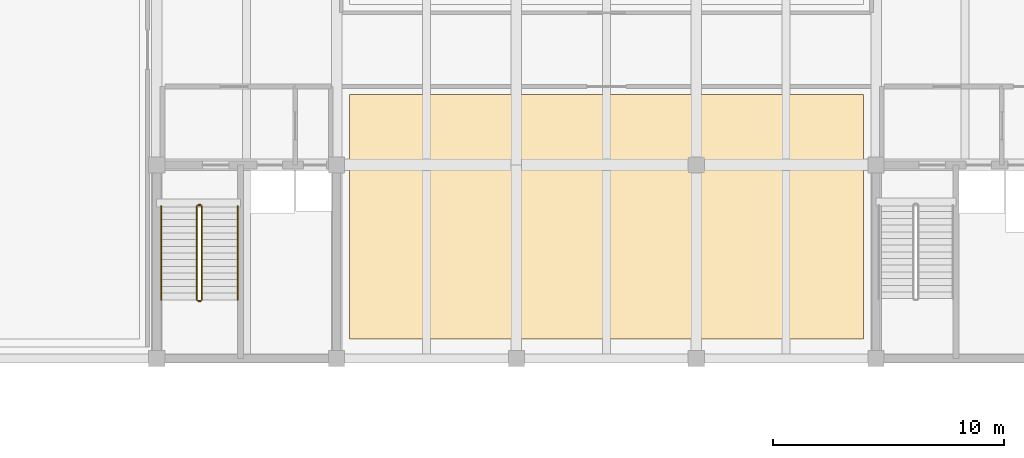
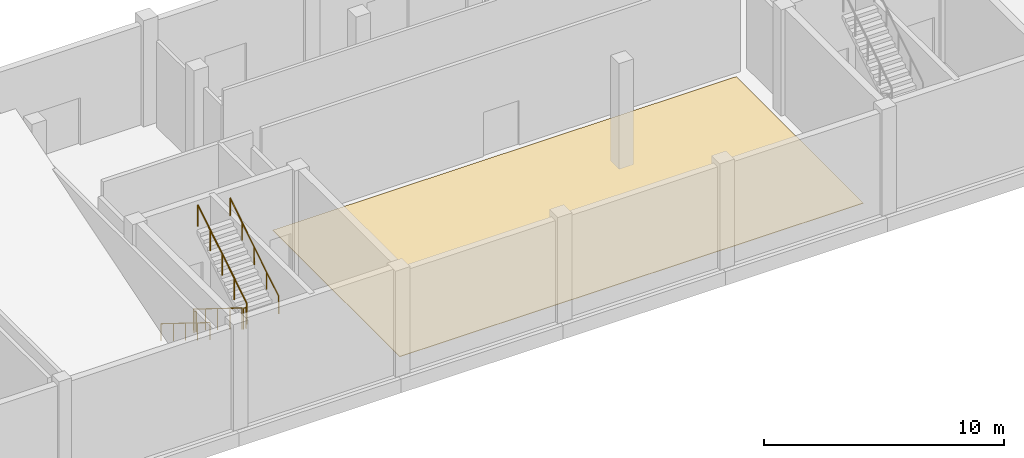
# One storey, part 40 of 41: 6 railings, 1 covering.
"""IFC4 building model written with IfcOpenShell, lengths in metres."""

from ifc_helpers import new_model, si_unit, direction, frame, origin, origin_2d, place, context, subcontext, project, spatial, polyline, circle, outline, extrude, material, layer, layer_set, type_object, element, save


model = new_model("IFC4")

# Units and contexts
model_context = context("Model", 3, precision=1e-05, world=origin(), true_north=direction((0.0, 1.0)))
body_context = subcontext(model_context, "Body", "Model", "MODEL_VIEW")
ifc_project = project(units=[si_unit("LENGTHUNIT", "METRE"), si_unit("AREAUNIT", "SQUARE_METRE"), si_unit("VOLUMEUNIT", "CUBIC_METRE"), si_unit("PLANEANGLEUNIT", "RADIAN"), si_unit("MASSUNIT", "GRAM", prefix="KILO")], contexts=[model_context])

# Site, building, storey
site_placement = place(None, origin())
site = spatial("IfcSite", under=ifc_project, at=site_placement, CompositionType="ELEMENT")
building_placement = place(site_placement, origin())
building = spatial("IfcBuilding", under=site, at=building_placement, Name="Vharandega Faculty of Natural Sciences", CompositionType="ELEMENT")
storey_placement = place(building_placement, origin())
storey = spatial("IfcBuildingStorey", under=building, at=storey_placement, Name="L00", CompositionType="ELEMENT", Elevation=0.0)

# Railings
ifc_material_1 = material(Name="Brushed stainless steel handrail", Category="steel")
railing_type_1 = type_object("IfcRailingType", Name="Stair Tubular Handrail 900", PredefinedType="HANDRAIL", material=ifc_material_1)
railing_1_placement = place(storey_placement, frame((114.989990234375, 70.610107421875, 0.179931640625)))
element("IfcRailing", 1, at=railing_1_placement, inside=storey, type_object=railing_type_1, Name="L00 ST1 stair handrail 1", PredefinedType="HANDRAIL", context=body_context, shape_type="SweptSolid", body=[
    extrude(circle(Radius=0.02392578125, at=origin_2d()), frame((0.0, 0.0, 0.8759765625), z_axis=(0.0, -0.849641744969, 0.527360318194), x_axis=(1.0, 0.0, 0.0)), (0.0, 0.0, 1.0), 4.778564453125),
    extrude(circle(Radius=0.02099609375, at=origin_2d()), origin(), (0.0, 0.0, 1.0), 0.851806640625),
    extrude(circle(Radius=0.02099609375, at=origin_2d()), frame((0.0, -1.01513671875, 0.6298828125)), (0.0, 0.0, 1.0), 0.851806640625),
    extrude(circle(Radius=0.02099609375, at=origin_2d()), frame((0.0, -2.030029296875, 1.260009765625)), (0.0, 0.0, 1.0), 0.851806640625),
    extrude(circle(Radius=0.02099609375, at=origin_2d()), frame((0.0, -3.044921875, 1.89013671875)), (0.0, 0.0, 1.0), 0.851806640625),
    extrude(circle(Radius=0.02099609375, at=origin_2d()), frame((0.0, -4.06005859375, 2.52001953125)), (0.0, 0.0, 1.0), 0.851806640625),
])
railing_2_placement = place(storey_placement, frame((118.31005859375, 66.550048828125, 2.8798828125)))
element("IfcRailing", 2, at=railing_2_placement, inside=storey, type_object=railing_type_1, Name="L00 ST1 stair handrail 2", PredefinedType="HANDRAIL", context=body_context, shape_type="SweptSolid", body=[
    extrude(circle(Radius=0.02392578125, at=origin_2d()), frame((0.0, 0.0, 0.8759765625), z_axis=(0.0, 0.849641744969, 0.527360318194), x_axis=(-1.0, 0.0, 0.0)), (0.0, 0.0, 1.0), 4.778564453125),
    extrude(circle(Radius=0.02099609375, at=origin_2d()), origin(), (0.0, 0.0, 1.0), 0.851806640625),
    extrude(circle(Radius=0.02099609375, at=origin_2d()), frame((0.0, 1.01513671875, 0.6298828125)), (0.0, 0.0, 1.0), 0.851806640625),
    extrude(circle(Radius=0.02099609375, at=origin_2d()), frame((0.0, 2.030029296875, 1.260009765625)), (0.0, 0.0, 1.0), 0.851806640625),
    extrude(circle(Radius=0.02099609375, at=origin_2d()), frame((0.0, 3.044921875, 1.89013671875)), (0.0, 0.0, 1.0), 0.851806640625),
    extrude(circle(Radius=0.02099609375, at=origin_2d()), frame((0.0, 4.06005859375, 2.52001953125)), (0.0, 0.0, 1.0), 0.851806640625),
])
ifc_material_2 = material(Name="Painted steel stair guardrail", Category="steel")
railing_type_2 = type_object("IfcRailingType", Name="Stairwell Steel Guardrail 1100", PredefinedType="GUARDRAIL", material=ifc_material_2)
railing_3_placement = place(storey_placement, frame((116.5400390625, 70.610107421875, 0.179931640625)))
element("IfcRailing", 3, at=railing_3_placement, inside=storey, type_object=railing_type_2, Name="L00 ST1 stair guard 1", PredefinedType="GUARDRAIL", context=body_context, shape_type="SweptSolid", body=[
    extrude(circle(Radius=0.02392578125, at=origin_2d()), frame((0.0, 0.0, 1.076171875), z_axis=(0.0, -0.849641744969, 0.527360318194), x_axis=(1.0, 0.0, 0.0)), (0.0, 0.0, 1.0), 4.778564453125),
    extrude(circle(Radius=0.02099609375, at=origin_2d()), origin(), (0.0, 0.0, 1.0), 1.052001953125),
    extrude(circle(Radius=0.02099609375, at=origin_2d()), frame((0.0, -1.01513671875, 0.6298828125)), (0.0, 0.0, 1.0), 1.052001953125),
    extrude(circle(Radius=0.02099609375, at=origin_2d()), frame((0.0, -2.030029296875, 1.260009765625)), (0.0, 0.0, 1.0), 1.052001953125),
    extrude(circle(Radius=0.02099609375, at=origin_2d()), frame((0.0, -3.044921875, 1.89013671875)), (0.0, 0.0, 1.0), 1.052001953125),
    extrude(circle(Radius=0.02099609375, at=origin_2d()), frame((0.0, -4.06005859375, 2.52001953125)), (0.0, 0.0, 1.0), 1.052001953125),
])
railing_4_placement = place(storey_placement, frame((116.590087890625, 66.5, 2.699951171875)))
element("IfcRailing", 4, at=railing_4_placement, inside=storey, type_object=railing_type_2, Name="L00 ST1 stair guard 2", PredefinedType="GUARDRAIL", context=body_context, shape_type="SweptSolid", body=[
    extrude(circle(Radius=0.02392578125, at=origin_2d()), frame((0.0, 0.0, 1.076171875), z_axis=(1.0, 0.0, 0.0), x_axis=(0.0, 1.0, 0.0)), (0.0, 0.0, 1.0), 0.119873046875),
    extrude(circle(Radius=0.02099609375, at=origin_2d()), origin(), (0.0, 0.0, 1.0), 1.052001953125),
    extrude(circle(Radius=0.02099609375, at=origin_2d()), frame((0.119873046875, 0.0, 0.0)), (0.0, 0.0, 1.0), 1.052001953125),
])
railing_5_placement = place(storey_placement, frame((116.760009765625, 66.550048828125, 2.8798828125)))
element("IfcRailing", 5, at=railing_5_placement, inside=storey, type_object=railing_type_2, Name="L00 ST1 stair guard 3", PredefinedType="GUARDRAIL", context=body_context, shape_type="SweptSolid", body=[
    extrude(circle(Radius=0.02392578125, at=origin_2d()), frame((0.0, 0.0, 1.076171875), z_axis=(0.0, 0.849641744969, 0.527360318194), x_axis=(-1.0, 0.0, 0.0)), (0.0, 0.0, 1.0), 4.778564453125),
    extrude(circle(Radius=0.02099609375, at=origin_2d()), origin(), (0.0, 0.0, 1.0), 1.052001953125),
    extrude(circle(Radius=0.02099609375, at=origin_2d()), frame((0.0, 1.01513671875, 0.6298828125)), (0.0, 0.0, 1.0), 1.052001953125),
    extrude(circle(Radius=0.02099609375, at=origin_2d()), frame((0.0, 2.030029296875, 1.260009765625)), (0.0, 0.0, 1.0), 1.052001953125),
    extrude(circle(Radius=0.02099609375, at=origin_2d()), frame((0.0, 3.044921875, 1.89013671875)), (0.0, 0.0, 1.0), 1.052001953125),
    extrude(circle(Radius=0.02099609375, at=origin_2d()), frame((0.0, 4.06005859375, 2.52001953125)), (0.0, 0.0, 1.0), 1.052001953125),
])
railing_6_placement = place(storey_placement, frame((116.590087890625, 70.659912109375, 0.0)))
element("IfcRailing", 6, at=railing_6_placement, inside=storey, type_object=railing_type_2, Name="L00 ST1 stair guard 4", PredefinedType="GUARDRAIL", context=body_context, shape_type="SweptSolid", body=[
    extrude(circle(Radius=0.02392578125, at=origin_2d()), frame((0.0, 0.0, 1.076171875), z_axis=(1.0, 0.0, 0.0), x_axis=(0.0, 1.0, 0.0)), (0.0, 0.0, 1.0), 0.119873046875),
    extrude(circle(Radius=0.02099609375, at=origin_2d()), origin(), (0.0, 0.0, 1.0), 1.052001953125),
    extrude(circle(Radius=0.02099609375, at=origin_2d()), frame((0.119873046875, 0.0, 0.0)), (0.0, 0.0, 1.0), 1.052001953125),
])

# Covering
ifc_material_3 = material(Name="Polished Harare granite terrazzo flooring", Category="masonry")
ifc_layer = layer(ifc_material_3, 0.02490234375, Name="Polished Harare granite terrazzo flooring")
ifc_layer_set = layer_set([ifc_layer], Name="Polished Harare granite terrazzo flooring")
covering_type = type_object("IfcCoveringType", Name="Terrazzo Concourse Flooring 25mm", PredefinedType="FLOORING", material=ifc_layer_set)
covering_placement = place(storey_placement, origin())
element("IfcCovering", 7, at=covering_placement, inside=storey, type_object=covering_type, Name="L00-LT03 Finish Flooring", PredefinedType="FLOORING", context=body_context, shape_type="SweptSolid", body=[
    extrude(outline(polyline([(123.14990234375, 64.85009765625), (145.449951171875, 64.85009765625), (145.449951171875, 75.449951171875), (123.14990234375, 75.449951171875), (123.14990234375, 64.85009765625)])), origin(), (0.0, 0.0, 1.0), 0.02490234375),
])

save(model, "model.ifc")
